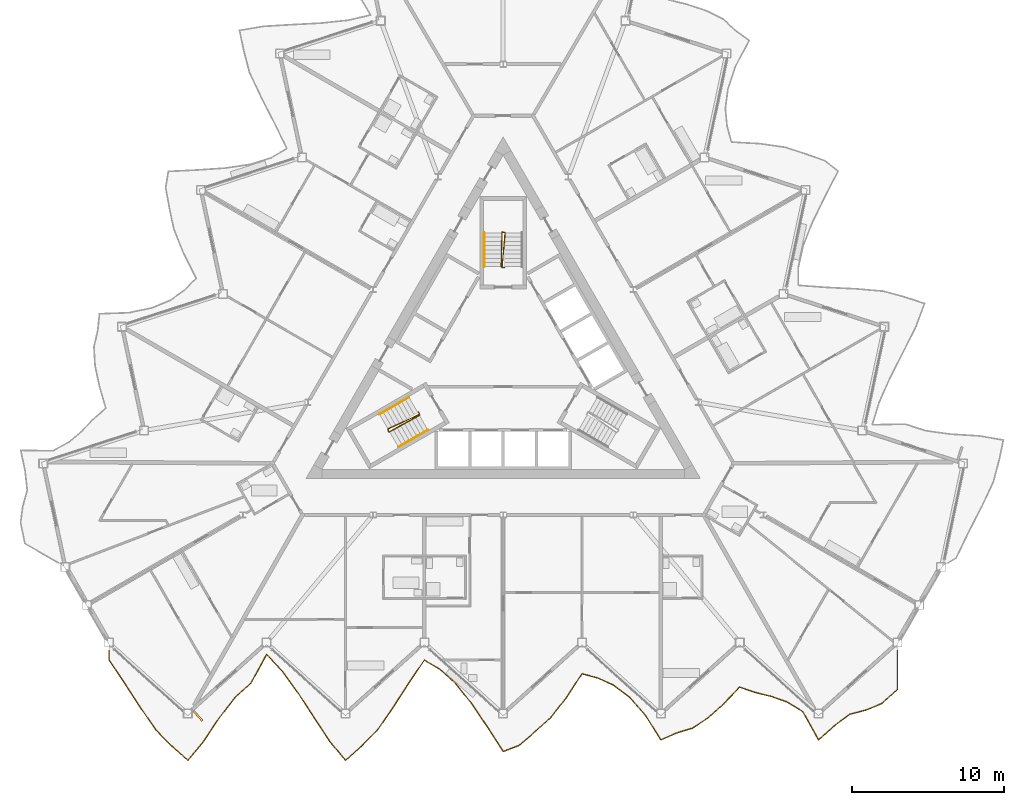
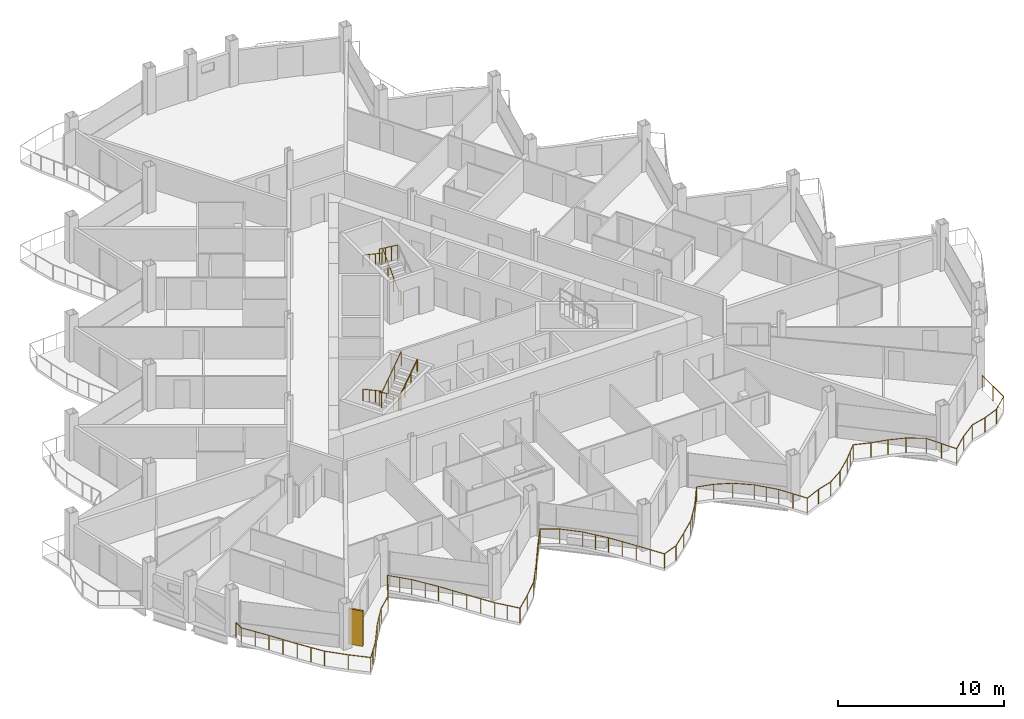
# One storey, part 22 of 26: 6 railings, 1 shading device.
"""IFC4 building model written with IfcOpenShell, lengths in metres."""

from ifc_helpers import new_model, si_unit, direction, frame, origin, origin_2d, place, context, subcontext, project, spatial, rectangle, circle, extrude, material, layer, layer_set, type_object, element, save


model = new_model("IFC4")

# Units and contexts
model_context = context("Model", 3, precision=1e-05, world=origin(), true_north=direction((0.0, 1.0)))
body_context = subcontext(model_context, "Body", "Model", "MODEL_VIEW")
ifc_project = project(units=[si_unit("LENGTHUNIT", "METRE"), si_unit("AREAUNIT", "SQUARE_METRE"), si_unit("VOLUMEUNIT", "CUBIC_METRE"), si_unit("PLANEANGLEUNIT", "RADIAN"), si_unit("MASSUNIT", "GRAM", prefix="KILO")], contexts=[model_context])

# Site, building, storey
site_placement = place(None, origin())
site = spatial("IfcSite", under=ifc_project, at=site_placement, CompositionType="ELEMENT")
building_placement = place(site_placement, origin())
building = spatial("IfcBuilding", under=site, at=building_placement, Name="Cormorant Prow Tower", CompositionType="ELEMENT")
storey_placement = place(building_placement, frame((0.0, 0.0, 342.60009765625)))
storey = spatial("IfcBuildingStorey", under=building, at=storey_placement, Name="L77", CompositionType="ELEMENT", Elevation=342.60009765625)

# Railings
ifc_material_1 = material(Name="Aluminium 6063-T6", Category="aluminium")
railing_type_1 = type_object("IfcRailingType", Name="Balcony guard 1100", PredefinedType="GUARDRAIL", material=ifc_material_1)
railing_1_placement = place(storey_placement, frame((-25.987548828125, -18.845458984375, 0.0)))
element("IfcRailing", 1, at=railing_1_placement, inside=storey, type_object=railing_type_1, Name="Balcony guard S", PredefinedType="GUARDRAIL", context=body_context, shape_type="SweptSolid", body=[
    extrude(circle(Radius=0.02392578125, at=origin_2d()), frame((0.0, 0.0, 1.076171875), z_axis=(0.0, -1.0, 0.0), x_axis=(1.0, 0.0, 0.0)), (0.0, 0.0, 1.0), 0.63623046875),
    extrude(circle(Radius=0.02392578125, at=origin_2d()), frame((0.0, -0.63623046875, 1.076171875), z_axis=(0.562664182009, -0.826685561918, 0.0), x_axis=(0.826685561918, 0.562664182009, 0.0)), (0.0, 0.0, 1.0), 1.84765625),
    extrude(circle(Radius=0.02392578125, at=origin_2d()), frame((1.03955078125, -2.16357421875, 1.076171875), z_axis=(0.541509580812, -0.840694578244, 0.0), x_axis=(0.840694578244, 0.541509580812, 0.0)), (0.0, 0.0, 1.0), 1.919189453125),
    extrude(circle(Radius=0.02392578125, at=origin_2d()), frame((2.078857421875, -3.777099609375, 1.076171875), z_axis=(0.569550750807, -0.821956168086, 0.0), x_axis=(0.821956168086, 0.569550750807, 0.0)), (0.0, 0.0, 1.0), 1.8251953125),
    extrude(circle(Radius=0.02392578125, at=origin_2d()), frame((3.118408203125, -5.27734375, 1.076171875), z_axis=(0.708103875041, -0.706108279339, 0.0), x_axis=(0.706108279339, 0.708103875041, 0.0)), (0.0, 0.0, 1.0), 1.468017578125),
    extrude(circle(Radius=0.02392578125, at=origin_2d()), frame((4.157958984375, -6.31396484375, 1.076171875), z_axis=(0.743137919086, -0.669138276603, 0.0), x_axis=(0.669138276603, 0.743137919086, 0.0)), (0.0, 0.0, 1.0), 1.39892578125),
    extrude(circle(Radius=0.02392578125, at=origin_2d()), frame((5.197509765625, -7.25, 1.076171875), z_axis=(0.639859163057, 0.768492193488, 0.0), x_axis=(-0.768492193488, 0.639859163057, 0.0)), (0.0, 0.0, 1.0), 1.624755859375),
    extrude(circle(Radius=0.02392578125, at=origin_2d()), frame((6.237060546875, -6.00146484375, 1.076171875), z_axis=(0.551676034913, 0.834058482663, 0.0), x_axis=(-0.834058482663, 0.551676034913, 0.0)), (0.0, 0.0, 1.0), 1.8837890625),
    extrude(circle(Radius=0.02392578125, at=origin_2d()), frame((7.2763671875, -4.43017578125, 1.076171875), z_axis=(0.613491650361, 0.789701206113, 0.0), x_axis=(-0.789701206113, 0.613491650361, 0.0)), (0.0, 0.0, 1.0), 1.694580078125),
    extrude(circle(Radius=0.02392578125, at=origin_2d()), frame((8.31591796875, -3.092041015625, 1.076171875), z_axis=(0.743137919086, 0.669138276603, 0.0), x_axis=(-0.669138276603, 0.743137919086, 0.0)), (0.0, 0.0, 1.0), 1.39892578125),
    extrude(circle(Radius=0.02392578125, at=origin_2d()), frame((9.35546875, -2.156005859375, 1.076171875), z_axis=(0.482723659499, 0.875772726545, 0.0), x_axis=(-0.875772726545, 0.482723659499, 0.0)), (0.0, 0.0, 1.0), 2.153564453125),
    extrude(circle(Radius=0.02392578125, at=origin_2d()), frame((10.39501953125, -0.27001953125, 1.076171875), z_axis=(0.681291432711, -0.732012283855, 0.0), x_axis=(0.732012283855, 0.681291432711, 0.0)), (0.0, 0.0, 1.0), 1.52587890625),
    extrude(circle(Radius=0.02392578125, at=origin_2d()), frame((11.4345703125, -1.386962890625, 1.076171875), z_axis=(0.587605246303, -0.80914774579, 0.0), x_axis=(0.80914774579, 0.587605246303, 0.0)), (0.0, 0.0, 1.0), 1.768798828125),
    extrude(circle(Radius=0.02392578125, at=origin_2d()), frame((12.473876953125, -2.818115234375, 1.076171875), z_axis=(0.544741003701, -0.838604339892, 0.0), x_axis=(0.838604339892, 0.544741003701, 0.0)), (0.0, 0.0, 1.0), 1.908447265625),
    extrude(circle(Radius=0.02392578125, at=origin_2d()), frame((13.513427734375, -4.41845703125, 1.076171875), z_axis=(0.55122990809, -0.834353395407, 0.0), x_axis=(0.834353395407, 0.55122990809, 0.0)), (0.0, 0.0, 1.0), 1.885986328125),
    extrude(circle(Radius=0.02392578125, at=origin_2d()), frame((14.552978515625, -5.991943359375, 1.076171875), z_axis=(0.63698582318, -0.770875515934, 0.0), x_axis=(0.770875515934, 0.63698582318, 0.0)), (0.0, 0.0, 1.0), 1.632080078125),
    extrude(circle(Radius=0.02392578125, at=origin_2d()), frame((15.592529296875, -7.25, 1.076171875), z_axis=(0.743137919086, 0.669138276603, 0.0), x_axis=(-0.669138276603, 0.743137919086, 0.0)), (0.0, 0.0, 1.0), 1.39892578125),
    extrude(circle(Radius=0.02392578125, at=origin_2d()), frame((16.632080078125, -6.31396484375, 1.076171875), z_axis=(0.710769610186, 0.703424879597, 0.0), x_axis=(-0.703424879597, 0.710769610186, 0.0)), (0.0, 0.0, 1.0), 1.462646484375),
    extrude(circle(Radius=0.02392578125, at=origin_2d()), frame((17.671630859375, -5.28515625, 1.076171875), z_axis=(0.570338060787, 0.821410065934, 0.0), x_axis=(-0.821410065934, 0.570338060787, 0.0)), (0.0, 0.0, 1.0), 1.822265625),
    extrude(circle(Radius=0.02392578125, at=origin_2d()), frame((18.7109375, -3.788330078125, 1.076171875), z_axis=(0.541657391168, 0.840599352006, 0.0), x_axis=(-0.840599352006, 0.541657391168, 0.0)), (0.0, 0.0, 1.0), 1.919189453125),
    extrude(circle(Radius=0.02392578125, at=origin_2d()), frame((19.75048828125, -2.175048828125, 1.076171875), z_axis=(0.561865998594, 0.827228263313, 0.0), x_axis=(-0.827228263313, 0.561865998594, 0.0)), (0.0, 0.0, 1.0), 1.85009765625),
    extrude(circle(Radius=0.02392578125, at=origin_2d()), frame((20.7900390625, -0.64453125, 1.076171875), z_axis=(0.866409076674, -0.499334869459, 0.0), x_axis=(0.499334869459, 0.866409076674, 0.0)), (0.0, 0.0, 1.0), 1.199951171875),
    extrude(circle(Radius=0.02392578125, at=origin_2d()), frame((21.82958984375, -1.24365234375, 1.076171875), z_axis=(0.736220414468, -0.676741827672, 0.0), x_axis=(0.676741827672, 0.736220414468, 0.0)), (0.0, 0.0, 1.0), 1.412109375),
    extrude(circle(Radius=0.02392578125, at=origin_2d()), frame((22.869140625, -2.19921875, 1.076171875), z_axis=(0.622499139958, -0.782620483217, 0.0), x_axis=(0.782620483217, 0.622499139958, 0.0)), (0.0, 0.0, 1.0), 1.669677734375),
    extrude(circle(Radius=0.02392578125, at=origin_2d()), frame((23.908447265625, -3.505859375, 1.076171875), z_axis=(0.55735556303, -0.830273916463, 0.0), x_axis=(0.830273916463, 0.55735556303, 0.0)), (0.0, 0.0, 1.0), 1.865234375),
    extrude(circle(Radius=0.02392578125, at=origin_2d()), frame((24.947998046875, -5.054443359375, 1.076171875), z_axis=(0.542411188386, -0.840113148757, 0.0), x_axis=(0.840113148757, 0.542411188386, 0.0)), (0.0, 0.0, 1.0), 1.91650390625),
    extrude(circle(Radius=0.02392578125, at=origin_2d()), frame((25.987548828125, -6.66455078125, 1.076171875), z_axis=(0.933763218047, 0.357891397805, 0.0), x_axis=(-0.357891397805, 0.933763218047, 0.0)), (0.0, 0.0, 1.0), 1.11328125),
    extrude(circle(Radius=0.02392578125, at=origin_2d()), frame((27.027099609375, -6.26611328125, 1.076171875), z_axis=(0.760289165959, 0.649584778243, 0.0), x_axis=(-0.649584778243, 0.760289165959, 0.0)), (0.0, 0.0, 1.0), 1.367431640625),
    extrude(circle(Radius=0.02392578125, at=origin_2d()), frame((28.066650390625, -5.3779296875, 1.076171875), z_axis=(0.743146563056, 0.669128676578, 0.0), x_axis=(-0.669128676578, 0.743146563056, 0.0)), (0.0, 0.0, 1.0), 1.3984375),
    extrude(circle(Radius=0.02392578125, at=origin_2d()), frame((29.10595703125, -4.442138671875, 1.076171875), z_axis=(0.619182124994, 0.785247410749, 0.0), x_axis=(-0.785247410749, 0.619182124994, 0.0)), (0.0, 0.0, 1.0), 1.678955078125),
    extrude(circle(Radius=0.02392578125, at=origin_2d()), frame((30.1455078125, -3.123779296875, 1.076171875), z_axis=(0.548206405263, 0.836343073881, 0.0), x_axis=(-0.836343073881, 0.548206405263, 0.0)), (0.0, 0.0, 1.0), 1.896240234375),
    extrude(circle(Radius=0.02392578125, at=origin_2d()), frame((31.18505859375, -1.537841796875, 1.076171875), z_axis=(0.965409680434, -0.260737701385, 0.0), x_axis=(0.260737701385, 0.965409680434, 0.0)), (0.0, 0.0, 1.0), 1.076904296875),
    extrude(circle(Radius=0.02392578125, at=origin_2d()), frame((32.224609375, -1.818603515625, 1.076171875), z_axis=(0.911769191365, -0.410702984744, 0.0), x_axis=(0.410702984744, 0.911769191365, 0.0)), (0.0, 0.0, 1.0), 1.14013671875),
    extrude(circle(Radius=0.02392578125, at=origin_2d()), frame((33.26416015625, -2.286865234375, 1.076171875), z_axis=(0.794839858182, -0.606819248084, 0.0), x_axis=(0.606819248084, 0.794839858182, 0.0)), (0.0, 0.0, 1.0), 1.3076171875),
    extrude(circle(Radius=0.02392578125, at=origin_2d()), frame((34.303466796875, -3.080322265625, 1.076171875), z_axis=(0.667179501071, -0.744896981703, 0.0), x_axis=(0.744896981703, 0.667179501071, 0.0)), (0.0, 0.0, 1.0), 1.55810546875),
    extrude(circle(Radius=0.02392578125, at=origin_2d()), frame((35.343017578125, -4.240966796875, 1.076171875), z_axis=(0.530996217595, -0.847374189422, 0.0), x_axis=(0.847374189422, 0.530996217595, 0.0)), (0.0, 0.0, 1.0), 1.957763671875),
    extrude(circle(Radius=0.02392578125, at=origin_2d()), frame((36.382568359375, -5.89990234375, 1.076171875), z_axis=(0.914006183236, 0.405700255123, 0.0), x_axis=(-0.405700255123, 0.914006183236, 0.0)), (0.0, 0.0, 1.0), 1.137451171875),
    extrude(circle(Radius=0.02392578125, at=origin_2d()), frame((37.422119140625, -5.4384765625, 1.076171875), z_axis=(0.956918494445, 0.290356668582, 0.0), x_axis=(-0.290356668582, 0.956918494445, 0.0)), (0.0, 0.0, 1.0), 1.08642578125),
    extrude(circle(Radius=0.02392578125, at=origin_2d()), frame((38.461669921875, -5.123046875, 1.076171875), z_axis=(0.83652633789, 0.547926715917, 0.0), x_axis=(-0.547926715917, 0.83652633789, 0.0)), (0.0, 0.0, 1.0), 1.24267578125),
    extrude(circle(Radius=0.02392578125, at=origin_2d()), frame((39.501220703125, -4.442138671875, 1.076171875), z_axis=(0.743059759904, 0.669225069174, 0.0), x_axis=(-0.669225069174, 0.743059759904, 0.0)), (0.0, 0.0, 1.0), 1.398681640625),
    extrude(circle(Radius=0.02392578125, at=origin_2d()), frame((40.54052734375, -3.506103515625, 1.076171875), z_axis=(0.691672471089, 0.722211321386, 0.0), x_axis=(-0.722211321386, 0.691672471089, 0.0)), (0.0, 0.0, 1.0), 1.5029296875),
    extrude(circle(Radius=0.02392578125, at=origin_2d()), frame((41.580078125, -2.420654296875, 1.076171875), z_axis=(0.94749733547, -0.319763661595, 0.0), x_axis=(0.319763661595, 0.94749733547, 0.0)), (0.0, 0.0, 1.0), 1.09716796875),
    extrude(circle(Radius=0.02392578125, at=origin_2d()), frame((42.61962890625, -2.771484375, 1.076171875), z_axis=(0.970543402603, -0.240926344892, 0.0), x_axis=(0.240926344892, 0.970543402603, 0.0)), (0.0, 0.0, 1.0), 1.071044921875),
    extrude(circle(Radius=0.02392578125, at=origin_2d()), frame((43.6591796875, -3.029541015625, 1.076171875), z_axis=(0.943602411342, -0.331080789701, 0.0), x_axis=(0.331080789701, 0.943602411342, 0.0)), (0.0, 0.0, 1.0), 1.1015625),
    extrude(circle(Radius=0.02392578125, at=origin_2d()), frame((44.69873046875, -3.394287109375, 1.076171875), z_axis=(0.851720136592, -0.523996955071, 0.0), x_axis=(0.523996955071, 0.851720136592, 0.0)), (0.0, 0.0, 1.0), 1.22021484375),
    extrude(circle(Radius=0.02392578125, at=origin_2d()), frame((45.738037109375, -4.03369140625, 1.076171875), z_axis=(0.486632385052, -0.873606846252, 0.0), x_axis=(0.873606846252, 0.486632385052, 0.0)), (0.0, 0.0, 1.0), 2.13623046875),
    extrude(circle(Radius=0.02392578125, at=origin_2d()), frame((46.777587890625, -5.89990234375, 1.076171875), z_axis=(0.743137919086, 0.669138276603, 0.0), x_axis=(-0.669138276603, 0.743137919086, 0.0)), (0.0, 0.0, 1.0), 1.39892578125),
    extrude(circle(Radius=0.02392578125, at=origin_2d()), frame((47.817138671875, -4.9638671875, 1.076171875), z_axis=(0.806633796018, 0.591051536772, 0.0), x_axis=(-0.591051536772, 0.806633796018, 0.0)), (0.0, 0.0, 1.0), 1.288818359375),
    extrude(circle(Radius=0.02392578125, at=origin_2d()), frame((48.856689453125, -4.2021484375, 1.076171875), z_axis=(0.968323455343, 0.249699190692, 0.0), x_axis=(-0.249699190692, 0.968323455343, 0.0)), (0.0, 0.0, 1.0), 1.073486328125),
    extrude(circle(Radius=0.02392578125, at=origin_2d()), frame((49.896240234375, -3.93408203125, 1.076171875), z_axis=(0.924669101293, 0.38077165482, 0.0), x_axis=(-0.38077165482, 0.924669101293, 0.0)), (0.0, 0.0, 1.0), 1.1240234375),
    extrude(circle(Radius=0.02392578125, at=origin_2d()), frame((50.935546875, -3.506103515625, 1.076171875), z_axis=(0.743137919086, 0.669138276603, 0.0), x_axis=(-0.669138276603, 0.743137919086, 0.0)), (0.0, 0.0, 1.0), 1.39892578125),
    extrude(circle(Radius=0.02392578125, at=origin_2d()), frame((51.97509765625, -2.570068359375, 1.076171875), z_axis=(0.0, 1.0, 0.0), x_axis=(-1.0, 0.0, 0.0)), (0.0, 0.0, 1.0), 2.570068359375),
    extrude(circle(Radius=0.02099609375, at=origin_2d()), origin(), (0.0, 0.0, 1.0), 1.052001953125),
    extrude(circle(Radius=0.02099609375, at=origin_2d()), frame((0.0, -0.63623046875, 0.0)), (0.0, 0.0, 1.0), 1.052001953125),
    extrude(circle(Radius=0.02099609375, at=origin_2d()), frame((0.519775390625, -1.39990234375, 0.0)), (0.0, 0.0, 1.0), 1.052001953125),
    extrude(circle(Radius=0.02099609375, at=origin_2d()), frame((1.03955078125, -2.16357421875, 0.0)), (0.0, 0.0, 1.0), 1.052001953125),
    extrude(circle(Radius=0.02099609375, at=origin_2d()), frame((1.55908203125, -2.97021484375, 0.0)), (0.0, 0.0, 1.0), 1.052001953125),
    extrude(circle(Radius=0.02099609375, at=origin_2d()), frame((2.078857421875, -3.777099609375, 0.0)), (0.0, 0.0, 1.0), 1.052001953125),
    extrude(circle(Radius=0.02099609375, at=origin_2d()), frame((2.5986328125, -4.52734375, 0.0)), (0.0, 0.0, 1.0), 1.052001953125),
    extrude(circle(Radius=0.02099609375, at=origin_2d()), frame((3.118408203125, -5.27734375, 0.0)), (0.0, 0.0, 1.0), 1.052001953125),
    extrude(circle(Radius=0.02099609375, at=origin_2d()), frame((4.157958984375, -6.31396484375, 0.0)), (0.0, 0.0, 1.0), 1.052001953125),
    extrude(circle(Radius=0.02099609375, at=origin_2d()), frame((5.197509765625, -7.25, 0.0)), (0.0, 0.0, 1.0), 1.052001953125),
    extrude(circle(Radius=0.02099609375, at=origin_2d()), frame((5.71728515625, -6.625732421875, 0.0)), (0.0, 0.0, 1.0), 1.052001953125),
    extrude(circle(Radius=0.02099609375, at=origin_2d()), frame((6.237060546875, -6.00146484375, 0.0)), (0.0, 0.0, 1.0), 1.052001953125),
    extrude(circle(Radius=0.02099609375, at=origin_2d()), frame((6.7568359375, -5.2158203125, 0.0)), (0.0, 0.0, 1.0), 1.052001953125),
    extrude(circle(Radius=0.02099609375, at=origin_2d()), frame((7.2763671875, -4.43017578125, 0.0)), (0.0, 0.0, 1.0), 1.052001953125),
    extrude(circle(Radius=0.02099609375, at=origin_2d()), frame((7.796142578125, -3.76123046875, 0.0)), (0.0, 0.0, 1.0), 1.052001953125),
    extrude(circle(Radius=0.02099609375, at=origin_2d()), frame((8.31591796875, -3.092041015625, 0.0)), (0.0, 0.0, 1.0), 1.052001953125),
    extrude(circle(Radius=0.02099609375, at=origin_2d()), frame((9.35546875, -2.156005859375, 0.0)), (0.0, 0.0, 1.0), 1.052001953125),
    extrude(circle(Radius=0.02099609375, at=origin_2d()), frame((9.875244140625, -1.212890625, 0.0)), (0.0, 0.0, 1.0), 1.052001953125),
    extrude(circle(Radius=0.02099609375, at=origin_2d()), frame((10.39501953125, -0.27001953125, 0.0)), (0.0, 0.0, 1.0), 1.052001953125),
    extrude(circle(Radius=0.02099609375, at=origin_2d()), frame((10.914794921875, -0.82861328125, 0.0)), (0.0, 0.0, 1.0), 1.052001953125),
    extrude(circle(Radius=0.02099609375, at=origin_2d()), frame((11.4345703125, -1.386962890625, 0.0)), (0.0, 0.0, 1.0), 1.052001953125),
    extrude(circle(Radius=0.02099609375, at=origin_2d()), frame((11.9541015625, -2.1025390625, 0.0)), (0.0, 0.0, 1.0), 1.052001953125),
    extrude(circle(Radius=0.02099609375, at=origin_2d()), frame((12.473876953125, -2.818115234375, 0.0)), (0.0, 0.0, 1.0), 1.052001953125),
    extrude(circle(Radius=0.02099609375, at=origin_2d()), frame((12.99365234375, -3.6181640625, 0.0)), (0.0, 0.0, 1.0), 1.052001953125),
    extrude(circle(Radius=0.02099609375, at=origin_2d()), frame((13.513427734375, -4.41845703125, 0.0)), (0.0, 0.0, 1.0), 1.052001953125),
    extrude(circle(Radius=0.02099609375, at=origin_2d()), frame((14.033203125, -5.205078125, 0.0)), (0.0, 0.0, 1.0), 1.052001953125),
    extrude(circle(Radius=0.02099609375, at=origin_2d()), frame((14.552978515625, -5.991943359375, 0.0)), (0.0, 0.0, 1.0), 1.052001953125),
    extrude(circle(Radius=0.02099609375, at=origin_2d()), frame((15.07275390625, -6.62109375, 0.0)), (0.0, 0.0, 1.0), 1.052001953125),
    extrude(circle(Radius=0.02099609375, at=origin_2d()), frame((15.592529296875, -7.25, 0.0)), (0.0, 0.0, 1.0), 1.052001953125),
    extrude(circle(Radius=0.02099609375, at=origin_2d()), frame((16.632080078125, -6.31396484375, 0.0)), (0.0, 0.0, 1.0), 1.052001953125),
    extrude(circle(Radius=0.02099609375, at=origin_2d()), frame((17.671630859375, -5.28515625, 0.0)), (0.0, 0.0, 1.0), 1.052001953125),
    extrude(circle(Radius=0.02099609375, at=origin_2d()), frame((18.19140625, -4.53662109375, 0.0)), (0.0, 0.0, 1.0), 1.052001953125),
    extrude(circle(Radius=0.02099609375, at=origin_2d()), frame((18.7109375, -3.788330078125, 0.0)), (0.0, 0.0, 1.0), 1.052001953125),
    extrude(circle(Radius=0.02099609375, at=origin_2d()), frame((19.230712890625, -2.981689453125, 0.0)), (0.0, 0.0, 1.0), 1.052001953125),
    extrude(circle(Radius=0.02099609375, at=origin_2d()), frame((19.75048828125, -2.175048828125, 0.0)), (0.0, 0.0, 1.0), 1.052001953125),
    extrude(circle(Radius=0.02099609375, at=origin_2d()), frame((20.270263671875, -1.40966796875, 0.0)), (0.0, 0.0, 1.0), 1.052001953125),
    extrude(circle(Radius=0.02099609375, at=origin_2d()), frame((20.7900390625, -0.64453125, 0.0)), (0.0, 0.0, 1.0), 1.052001953125),
    extrude(circle(Radius=0.02099609375, at=origin_2d()), frame((21.82958984375, -1.24365234375, 0.0)), (0.0, 0.0, 1.0), 1.052001953125),
    extrude(circle(Radius=0.02099609375, at=origin_2d()), frame((22.869140625, -2.19921875, 0.0)), (0.0, 0.0, 1.0), 1.052001953125),
    extrude(circle(Radius=0.02099609375, at=origin_2d()), frame((23.388671875, -2.8525390625, 0.0)), (0.0, 0.0, 1.0), 1.052001953125),
    extrude(circle(Radius=0.02099609375, at=origin_2d()), frame((23.908447265625, -3.505859375, 0.0)), (0.0, 0.0, 1.0), 1.052001953125),
    extrude(circle(Radius=0.02099609375, at=origin_2d()), frame((24.42822265625, -4.2802734375, 0.0)), (0.0, 0.0, 1.0), 1.052001953125),
    extrude(circle(Radius=0.02099609375, at=origin_2d()), frame((24.947998046875, -5.054443359375, 0.0)), (0.0, 0.0, 1.0), 1.052001953125),
    extrude(circle(Radius=0.02099609375, at=origin_2d()), frame((25.4677734375, -5.859375, 0.0)), (0.0, 0.0, 1.0), 1.052001953125),
    extrude(circle(Radius=0.02099609375, at=origin_2d()), frame((25.987548828125, -6.66455078125, 0.0)), (0.0, 0.0, 1.0), 1.052001953125),
    extrude(circle(Radius=0.02099609375, at=origin_2d()), frame((27.027099609375, -6.26611328125, 0.0)), (0.0, 0.0, 1.0), 1.052001953125),
    extrude(circle(Radius=0.02099609375, at=origin_2d()), frame((28.066650390625, -5.3779296875, 0.0)), (0.0, 0.0, 1.0), 1.052001953125),
    extrude(circle(Radius=0.02099609375, at=origin_2d()), frame((29.10595703125, -4.442138671875, 0.0)), (0.0, 0.0, 1.0), 1.052001953125),
    extrude(circle(Radius=0.02099609375, at=origin_2d()), frame((29.625732421875, -3.782958984375, 0.0)), (0.0, 0.0, 1.0), 1.052001953125),
    extrude(circle(Radius=0.02099609375, at=origin_2d()), frame((30.1455078125, -3.123779296875, 0.0)), (0.0, 0.0, 1.0), 1.052001953125),
    extrude(circle(Radius=0.02099609375, at=origin_2d()), frame((30.665283203125, -2.330810546875, 0.0)), (0.0, 0.0, 1.0), 1.052001953125),
    extrude(circle(Radius=0.02099609375, at=origin_2d()), frame((31.18505859375, -1.537841796875, 0.0)), (0.0, 0.0, 1.0), 1.052001953125),
    extrude(circle(Radius=0.02099609375, at=origin_2d()), frame((32.224609375, -1.818603515625, 0.0)), (0.0, 0.0, 1.0), 1.052001953125),
    extrude(circle(Radius=0.02099609375, at=origin_2d()), frame((33.26416015625, -2.286865234375, 0.0)), (0.0, 0.0, 1.0), 1.052001953125),
    extrude(circle(Radius=0.02099609375, at=origin_2d()), frame((34.303466796875, -3.080322265625, 0.0)), (0.0, 0.0, 1.0), 1.052001953125),
    extrude(circle(Radius=0.02099609375, at=origin_2d()), frame((34.8232421875, -3.66064453125, 0.0)), (0.0, 0.0, 1.0), 1.052001953125),
    extrude(circle(Radius=0.02099609375, at=origin_2d()), frame((35.343017578125, -4.240966796875, 0.0)), (0.0, 0.0, 1.0), 1.052001953125),
    extrude(circle(Radius=0.02099609375, at=origin_2d()), frame((35.86279296875, -5.0703125, 0.0)), (0.0, 0.0, 1.0), 1.052001953125),
    extrude(circle(Radius=0.02099609375, at=origin_2d()), frame((36.382568359375, -5.89990234375, 0.0)), (0.0, 0.0, 1.0), 1.052001953125),
    extrude(circle(Radius=0.02099609375, at=origin_2d()), frame((37.422119140625, -5.4384765625, 0.0)), (0.0, 0.0, 1.0), 1.052001953125),
    extrude(circle(Radius=0.02099609375, at=origin_2d()), frame((38.461669921875, -5.123046875, 0.0)), (0.0, 0.0, 1.0), 1.052001953125),
    extrude(circle(Radius=0.02099609375, at=origin_2d()), frame((39.501220703125, -4.442138671875, 0.0)), (0.0, 0.0, 1.0), 1.052001953125),
    extrude(circle(Radius=0.02099609375, at=origin_2d()), frame((40.54052734375, -3.506103515625, 0.0)), (0.0, 0.0, 1.0), 1.052001953125),
    extrude(circle(Radius=0.02099609375, at=origin_2d()), frame((41.060302734375, -2.96337890625, 0.0)), (0.0, 0.0, 1.0), 1.052001953125),
    extrude(circle(Radius=0.02099609375, at=origin_2d()), frame((41.580078125, -2.420654296875, 0.0)), (0.0, 0.0, 1.0), 1.052001953125),
    extrude(circle(Radius=0.02099609375, at=origin_2d()), frame((42.61962890625, -2.771484375, 0.0)), (0.0, 0.0, 1.0), 1.052001953125),
    extrude(circle(Radius=0.02099609375, at=origin_2d()), frame((43.6591796875, -3.029541015625, 0.0)), (0.0, 0.0, 1.0), 1.052001953125),
    extrude(circle(Radius=0.02099609375, at=origin_2d()), frame((44.69873046875, -3.394287109375, 0.0)), (0.0, 0.0, 1.0), 1.052001953125),
    extrude(circle(Radius=0.02099609375, at=origin_2d()), frame((45.738037109375, -4.03369140625, 0.0)), (0.0, 0.0, 1.0), 1.052001953125),
    extrude(circle(Radius=0.02099609375, at=origin_2d()), frame((46.2578125, -4.966796875, 0.0)), (0.0, 0.0, 1.0), 1.052001953125),
    extrude(circle(Radius=0.02099609375, at=origin_2d()), frame((46.777587890625, -5.89990234375, 0.0)), (0.0, 0.0, 1.0), 1.052001953125),
    extrude(circle(Radius=0.02099609375, at=origin_2d()), frame((47.817138671875, -4.9638671875, 0.0)), (0.0, 0.0, 1.0), 1.052001953125),
    extrude(circle(Radius=0.02099609375, at=origin_2d()), frame((48.856689453125, -4.2021484375, 0.0)), (0.0, 0.0, 1.0), 1.052001953125),
    extrude(circle(Radius=0.02099609375, at=origin_2d()), frame((49.896240234375, -3.93408203125, 0.0)), (0.0, 0.0, 1.0), 1.052001953125),
    extrude(circle(Radius=0.02099609375, at=origin_2d()), frame((50.935546875, -3.506103515625, 0.0)), (0.0, 0.0, 1.0), 1.052001953125),
    extrude(circle(Radius=0.02099609375, at=origin_2d()), frame((51.97509765625, -2.570068359375, 0.0)), (0.0, 0.0, 1.0), 1.052001953125),
    extrude(circle(Radius=0.02099609375, at=origin_2d()), frame((51.97509765625, -1.28515625, 0.0)), (0.0, 0.0, 1.0), 1.052001953125),
    extrude(circle(Radius=0.02099609375, at=origin_2d()), frame((51.97509765625, 0.0, 0.0)), (0.0, 0.0, 1.0), 1.052001953125),
])
ifc_material_2 = material(Name="Stainless steel", Category="steel")
railing_type_2 = type_object("IfcRailingType", Name="Stair guard 1100", PredefinedType="GUARDRAIL", material=ifc_material_2)
railing_2_placement = place(storey_placement, frame((-5.585205078125, -3.137939453125, 0.0)))
element("IfcRailing", 2, at=railing_2_placement, inside=storey, type_object=railing_type_2, Name="L77 ST1 stair guard 1", PredefinedType="GUARDRAIL", context=body_context, shape_type="SweptSolid", body=[
    extrude(circle(Radius=0.02392578125, at=origin_2d()), frame((0.0, 0.0, 1.076171875), z_axis=(0.501036270542, -0.865426285481, 0.0), x_axis=(0.865426285481, 0.501036270542, 0.0)), (0.0, 0.0, 1.0), 0.150146484375),
    extrude(circle(Radius=0.02392578125, at=origin_2d()), frame((0.0751953125, -0.1298828125, 1.076171875), z_axis=(-0.728641035543, -0.339941399566, 0.594577233152), x_axis=(0.422792438952, -0.906226546491, 0.0)), (0.0, 0.0, 1.0), 2.859130859375),
    extrude(circle(Radius=0.02392578125, at=origin_2d()), frame((-2.008056640625, -1.101806640625, 2.77587890625), z_axis=(0.275034262293, -0.961434425515, 0.0), x_axis=(0.961434425515, 0.275034262293, 0.0)), (0.0, 0.0, 1.0), 0.2060546875),
    extrude(circle(Radius=0.02392578125, at=origin_2d()), frame((-1.951416015625, -1.2998046875, 2.77587890625), z_axis=(0.704058451865, 0.386179398835, 0.595959032378), x_axis=(-0.480911908544, 0.87676891837, 0.0)), (0.0, 0.0, 1.0), 2.8525390625),
    extrude(circle(Radius=0.02099609375, at=origin_2d()), origin(), (0.0, 0.0, 1.0), 1.052001953125),
    extrude(circle(Radius=0.02099609375, at=origin_2d()), frame((0.0751953125, -0.1298828125, 0.0)), (0.0, 0.0, 1.0), 1.052001953125),
    extrude(circle(Radius=0.02099609375, at=origin_2d()), frame((-0.619140625, -0.453857421875, 0.566650390625)), (0.0, 0.0, 1.0), 1.052001953125),
    extrude(circle(Radius=0.02099609375, at=origin_2d()), frame((-1.313720703125, -0.77783203125, 1.13330078125)), (0.0, 0.0, 1.0), 1.052001953125),
    extrude(circle(Radius=0.02099609375, at=origin_2d()), frame((-2.008056640625, -1.101806640625, 1.699951171875)), (0.0, 0.0, 1.0), 1.052001953125),
    extrude(circle(Radius=0.02099609375, at=origin_2d()), frame((-1.951416015625, -1.2998046875, 1.699951171875)), (0.0, 0.0, 1.0), 1.052001953125),
    extrude(circle(Radius=0.02099609375, at=origin_2d()), frame((-1.281982421875, -0.9326171875, 2.2666015625)), (0.0, 0.0, 1.0), 1.052001953125),
    extrude(circle(Radius=0.02099609375, at=origin_2d()), frame((-0.612548828125, -0.5654296875, 2.833251953125)), (0.0, 0.0, 1.0), 1.052001953125),
    extrude(circle(Radius=0.02099609375, at=origin_2d()), frame((0.056884765625, -0.1982421875, 3.39990234375)), (0.0, 0.0, 1.0), 1.052001953125),
])
railing_3_placement = place(storey_placement, frame((0.074951171875, 6.40576171875, 0.0)))
element("IfcRailing", 3, at=railing_3_placement, inside=storey, type_object=railing_type_2, Name="L77 ST3 stair guard 1", PredefinedType="GUARDRAIL", context=body_context, shape_type="SweptSolid", body=[
    extrude(circle(Radius=0.02392578125, at=origin_2d()), frame((0.0, 0.0, 1.076171875), z_axis=(-1.0, 0.0, 0.0), x_axis=(0.0, -1.0, 0.0)), (0.0, 0.0, 1.0), 0.14990234375),
    extrude(circle(Radius=0.02392578125, at=origin_2d()), frame((-0.14990234375, 0.0, 1.076171875), z_axis=(0.069936542308, 0.800982621307, 0.594588698525), x_axis=(-0.996209839609, 0.086982500921, 0.0)), (0.0, 0.0, 1.0), 2.859130859375),
    extrude(circle(Radius=0.02392578125, at=origin_2d()), frame((0.050048828125, 2.2900390625, 2.77587890625), z_axis=(-0.970072785993, 0.242814311512, 0.0), x_axis=(-0.242814311512, -0.970072785993, 0.0)), (0.0, 0.0, 1.0), 0.2060546875),
    extrude(circle(Radius=0.02392578125, at=origin_2d()), frame((-0.14990234375, 2.340087890625, 2.77587890625), z_axis=(-0.017545750742, -0.80282508275, 0.595956402045), x_axis=(0.999761264773, -0.0218497931, 0.0)), (0.0, 0.0, 1.0), 2.8525390625),
    extrude(circle(Radius=0.02099609375, at=origin_2d()), origin(), (0.0, 0.0, 1.0), 1.052001953125),
    extrude(circle(Radius=0.02099609375, at=origin_2d()), frame((-0.14990234375, 0.0, 0.0)), (0.0, 0.0, 1.0), 1.052001953125),
    extrude(circle(Radius=0.02099609375, at=origin_2d()), frame((-0.083251953125, 0.763427734375, 0.566650390625)), (0.0, 0.0, 1.0), 1.052001953125),
    extrude(circle(Radius=0.02099609375, at=origin_2d()), frame((-0.0166015625, 1.526611328125, 1.13330078125)), (0.0, 0.0, 1.0), 1.052001953125),
    extrude(circle(Radius=0.02099609375, at=origin_2d()), frame((0.050048828125, 2.2900390625, 1.699951171875)), (0.0, 0.0, 1.0), 1.052001953125),
    extrude(circle(Radius=0.02099609375, at=origin_2d()), frame((-0.14990234375, 2.340087890625, 1.699951171875)), (0.0, 0.0, 1.0), 1.052001953125),
    extrude(circle(Radius=0.02099609375, at=origin_2d()), frame((-0.16650390625, 1.57666015625, 2.2666015625)), (0.0, 0.0, 1.0), 1.052001953125),
    extrude(circle(Radius=0.02099609375, at=origin_2d()), frame((-0.183349609375, 0.8134765625, 2.833251953125)), (0.0, 0.0, 1.0), 1.052001953125),
    extrude(circle(Radius=0.02099609375, at=origin_2d()), frame((-0.199951171875, 0.050048828125, 3.39990234375)), (0.0, 0.0, 1.0), 1.052001953125),
])
ifc_material_3 = material(Name="Stainless steel", Category="steel")
railing_type_3 = type_object("IfcRailingType", Name="Stair handrail 900", PredefinedType="HANDRAIL", material=ifc_material_3)
railing_4_placement = place(storey_placement, frame((-6.212890625, -2.150634765625, 0.188720703125)))
element("IfcRailing", 4, at=railing_4_placement, inside=storey, type_object=railing_type_3, Name="L77 ST1 stair handrail 1", PredefinedType="HANDRAIL", context=body_context, shape_type="SweptSolid", body=[
    extrude(circle(Radius=0.02392578125, at=origin_2d()), frame((0.0, 0.0, 0.8759765625), z_axis=(-0.717940317343, -0.414446543626, 0.55928147047), x_axis=(0.49994888933, -0.866054910533, 0.0)), (0.0, 0.0, 1.0), 2.7021484375),
    extrude(circle(Radius=0.02099609375, at=origin_2d()), origin(), (0.0, 0.0, 1.0), 0.851806640625),
    extrude(circle(Radius=0.02099609375, at=origin_2d()), frame((-0.646728515625, -0.373291015625, 0.503662109375)), (0.0, 0.0, 1.0), 0.851806640625),
    extrude(circle(Radius=0.02099609375, at=origin_2d()), frame((-1.293212890625, -0.74658203125, 1.007568359375)), (0.0, 0.0, 1.0), 0.851806640625),
    extrude(circle(Radius=0.02099609375, at=origin_2d()), frame((-1.93994140625, -1.119873046875, 1.51123046875)), (0.0, 0.0, 1.0), 0.851806640625),
])
railing_5_placement = place(storey_placement, frame((-6.90869140625, -5.42529296875, 1.888671875)))
element("IfcRailing", 5, at=railing_5_placement, inside=storey, type_object=railing_type_3, Name="L77 ST1 stair handrail 2", PredefinedType="HANDRAIL", context=body_context, shape_type="SweptSolid", body=[
    extrude(circle(Radius=0.02392578125, at=origin_2d()), frame((0.0, 0.0, 0.8759765625), z_axis=(0.717869644322, 0.414548260308, 0.559296802813), x_axis=(-0.500077830873, 0.865980463445, 0.0)), (0.0, 0.0, 1.0), 2.701904296875),
    extrude(circle(Radius=0.02099609375, at=origin_2d()), origin(), (0.0, 0.0, 1.0), 0.851806640625),
    extrude(circle(Radius=0.02099609375, at=origin_2d()), frame((0.646484375, 0.373291015625, 0.503662109375)), (0.0, 0.0, 1.0), 0.851806640625),
    extrude(circle(Radius=0.02099609375, at=origin_2d()), frame((1.293212890625, 0.746826171875, 1.007568359375)), (0.0, 0.0, 1.0), 0.851806640625),
    extrude(circle(Radius=0.02099609375, at=origin_2d()), frame((1.939697265625, 1.1201171875, 1.51123046875)), (0.0, 0.0, 1.0), 0.851806640625),
])
railing_6_placement = place(storey_placement, frame((-1.243896484375, 8.69580078125, 1.888671875)))
element("IfcRailing", 6, at=railing_6_placement, inside=storey, type_object=railing_type_3, Name="L77 ST3 stair handrail 2", PredefinedType="HANDRAIL", context=body_context, shape_type="SweptSolid", body=[
    extrude(circle(Radius=0.02392578125, at=origin_2d()), frame((0.0, 0.0, 0.8759765625), z_axis=(0.0, -0.828979582247, 0.559278868023), x_axis=(1.0, 0.0, 0.0)), (0.0, 0.0, 1.0), 2.7021484375),
    extrude(circle(Radius=0.02099609375, at=origin_2d()), origin(), (0.0, 0.0, 1.0), 0.851806640625),
    extrude(circle(Radius=0.02099609375, at=origin_2d()), frame((0.0, -0.74658203125, 0.503662109375)), (0.0, 0.0, 1.0), 0.851806640625),
    extrude(circle(Radius=0.02099609375, at=origin_2d()), frame((0.0, -1.493408203125, 1.007568359375)), (0.0, 0.0, 1.0), 0.851806640625),
    extrude(circle(Radius=0.02099609375, at=origin_2d()), frame((0.0, -2.239990234375, 1.51123046875)), (0.0, 0.0, 1.0), 0.851806640625),
])

# Shading device
ifc_material_4 = material(Name="Terracotta", Category="masonry")
ifc_layer = layer(ifc_material_4, 0.1201171875)
ifc_layer_set = layer_set([ifc_layer], Name="Terracotta")
shading_device_type = type_object("IfcShadingDeviceType", Name="Terracotta baguette fin 120x900x2600", PredefinedType="USERDEFINED", material=ifc_layer_set)
shading_device_placement = place(storey_placement, frame((-20.121826171875, -23.149169921875, -0.000244140625), z_axis=(0.0, 0.0, 1.0), x_axis=(0.743144841944, 0.669130588071, 0.0)))
element("IfcShadingDevice", 7, at=shading_device_placement, inside=storey, type_object=shading_device_type, Name="Baguette fin S01", ObjectType="BAGUETTE", PredefinedType="USERDEFINED", context=body_context, shape_type="SweptSolid", body=[
    extrude(rectangle(XDim=0.1201171875, YDim=0.89990234375, at=origin_2d()), origin(), (0.0, 0.0, 1.0), 2.60009765625),
])

save(model, "model.ifc")
